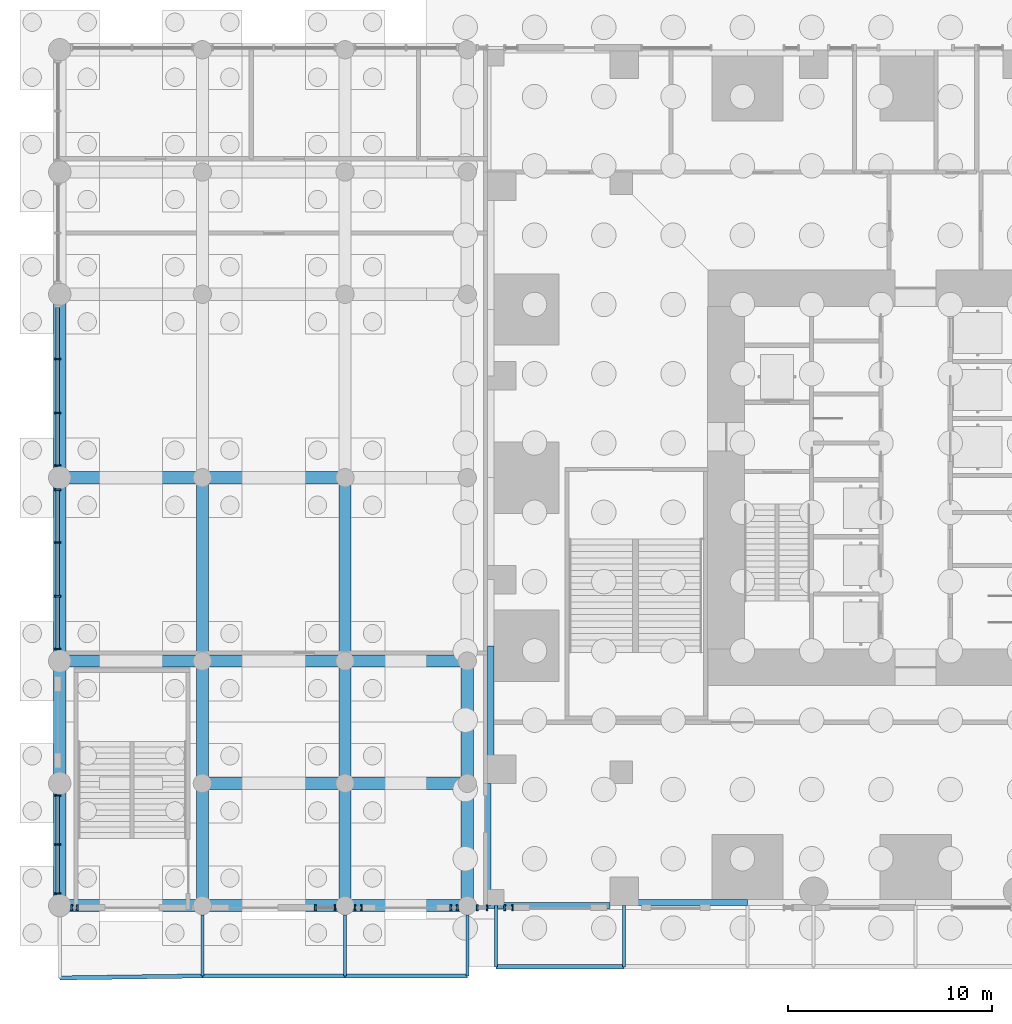
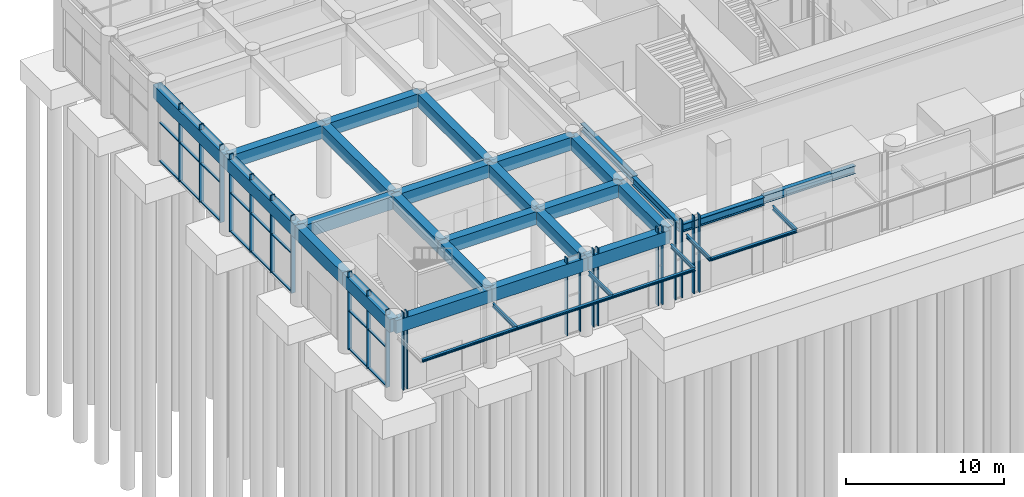
# One storey, part 4 of 46: 38 members, 35 beams, 9 elements without a shape of their own.
"""IFC4 building model written with IfcOpenShell, lengths in metres."""

from ifc_helpers import new_model, si_unit, direction, frame, origin, origin_2d, place, context, subcontext, project, spatial, rectangle, i_section, extrude, material, material_profile, profile_set, type_object, element, aggregate, save


model = new_model("IFC4")

# Units and contexts
model_context = context("Model", 3, precision=1e-05, world=origin(), true_north=direction((0.0, 1.0)))
body_context = subcontext(model_context, "Body", "Model", "MODEL_VIEW")
ifc_project = project(units=[si_unit("LENGTHUNIT", "METRE"), si_unit("AREAUNIT", "SQUARE_METRE"), si_unit("VOLUMEUNIT", "CUBIC_METRE"), si_unit("PLANEANGLEUNIT", "RADIAN"), si_unit("MASSUNIT", "GRAM", prefix="KILO")], contexts=[model_context])

# Site, building, storey
site_placement = place(None, origin())
site = spatial("IfcSite", under=ifc_project, at=site_placement, CompositionType="ELEMENT")
building_placement = place(site_placement, origin())
building = spatial("IfcBuilding", under=site, at=building_placement, Name="Svetlomir Tower", CompositionType="ELEMENT")
storey_placement = place(building_placement, origin())
storey = spatial("IfcBuildingStorey", under=building, at=storey_placement, Name="L00", CompositionType="ELEMENT", Elevation=0.0)

# Beams
ifc_material_1 = material(Name="Steel S355", Category="steel")
ifc_material_profile_1 = material_profile(ifc_material_1, i_section(OverallWidth=0.14990234375, OverallDepth=0.300048828125, WebThickness=0.007080078125, FlangeThickness=0.0107421875, FilletRadius=0.014892578125, at=origin_2d()), Name="IPE 300")
ifc_profile_set_1 = profile_set([ifc_material_profile_1], Name="Steel S355")
beam_type_1 = type_object("IfcBeamType", Name="CANOPY CANTILEVER IPE 300", PredefinedType="BEAM", material=ifc_profile_set_1)
for number, where, z_axis, x_axis, name in (
    (1, (-14.0, -0.449951171875, 4.5), (0.0, -1.0, 0.0), (1.0, 0.0, 0.0), "Canopy cantilever -14"),
    (2, (-7.0, -0.449951171875, 4.5), (0.0, -1.0, 0.0), (1.0, 0.0, 0.0), "Canopy cantilever -7"),
    (3, (-1.0, -0.449951171875, 4.5), (0.0, -1.0, 0.0), (1.0, 0.0, 0.0), "Canopy cantilever -1"),
    (4, (0.39990234375, 0.0, 4.5), (0.0, -1.0, 0.0), (1.0, 0.0, 0.0), "Canopy cantilever 0"),
    (5, (6.699951171875, 0.0, 4.5), (0.0, -1.0, 0.0), (1.0, 0.0, 0.0), "Canopy cantilever 6"),
):
    element("IfcBeam", number, at=place(storey_placement, frame(where, z_axis=z_axis, x_axis=x_axis)), inside=storey, type_object=beam_type_1, Name=name, PredefinedType="BEAM", context=body_context, shape_type="SweptSolid", body=[
        extrude(i_section(OverallWidth=0.14990234375, OverallDepth=0.300048828125, WebThickness=0.007080078125, FlangeThickness=0.0107421875, FilletRadius=0.014892578125, at=origin_2d()), origin(), (0.0, 0.0, 1.0), 3.0),
    ])
ifc_material_2 = material(Name="Steel S355", Category="steel")
ifc_material_profile_2 = material_profile(ifc_material_2, i_section(OverallWidth=0.199951171875, OverallDepth=0.18994140625, WebThickness=0.006591796875, FlangeThickness=0.010009765625, FilletRadius=0.01806640625, at=origin_2d()), Name="HEA 200")
ifc_profile_set_2 = profile_set([ifc_material_profile_2], Name="Steel S355")
beam_type_2 = type_object("IfcBeamType", Name="CANOPY EDGE BEAM HEA 200", PredefinedType="BEAM", material=ifc_profile_set_2)
beam_1_placement = place(storey_placement, frame((-21.0, -3.550048828125, 4.5), z_axis=(0.999897775465, 0.014298203402, 0.0), x_axis=(-0.014298203402, 0.999897775465, 0.0)))
element("IfcBeam", 6, at=beam_1_placement, inside=storey, type_object=beam_type_2, Name="Canopy edge beam -21 to -14", PredefinedType="BEAM", context=body_context, shape_type="SweptSolid", body=[
    extrude(i_section(OverallWidth=0.199951171875, OverallDepth=0.18994140625, WebThickness=0.006591796875, FlangeThickness=0.010009765625, FilletRadius=0.01806640625, at=origin_2d()), origin(), (0.0, 0.0, 1.0), 7.000732421875),
])
beam_2_placement = place(storey_placement, frame((-14.0, -3.449951171875, 4.5), z_axis=(1.0, 0.0, 0.0), x_axis=(0.0, 1.0, 0.0)))
element("IfcBeam", 7, at=beam_2_placement, inside=storey, type_object=beam_type_2, Name="Canopy edge beam -14 to -7", PredefinedType="BEAM", context=body_context, shape_type="SweptSolid", body=[
    extrude(i_section(OverallWidth=0.199951171875, OverallDepth=0.18994140625, WebThickness=0.006591796875, FlangeThickness=0.010009765625, FilletRadius=0.01806640625, at=origin_2d()), origin(), (0.0, 0.0, 1.0), 7.0),
])
beam_3_placement = place(storey_placement, frame((-7.0, -3.449951171875, 4.5), z_axis=(1.0, 0.0, 0.0), x_axis=(0.0, 1.0, 0.0)))
element("IfcBeam", 8, at=beam_3_placement, inside=storey, type_object=beam_type_2, Name="Canopy edge beam -7 to -1", PredefinedType="BEAM", context=body_context, shape_type="SweptSolid", body=[
    extrude(i_section(OverallWidth=0.199951171875, OverallDepth=0.18994140625, WebThickness=0.006591796875, FlangeThickness=0.010009765625, FilletRadius=0.01806640625, at=origin_2d()), origin(), (0.0, 0.0, 1.0), 6.0),
])
beam_4_placement = place(storey_placement, frame((0.39990234375, -3.0, 4.5), z_axis=(1.0, 0.0, 0.0), x_axis=(0.0, 1.0, 0.0)))
element("IfcBeam", 9, at=beam_4_placement, inside=storey, type_object=beam_type_2, Name="Canopy edge beam 0.4 to 6.7", PredefinedType="BEAM", context=body_context, shape_type="SweptSolid", body=[
    extrude(i_section(OverallWidth=0.199951171875, OverallDepth=0.18994140625, WebThickness=0.006591796875, FlangeThickness=0.010009765625, FilletRadius=0.01806640625, at=origin_2d()), origin(), (0.0, 0.0, 1.0), 6.300048828125),
])

# Curtain wall, members
ifc_material_3 = material(Name="Bronze anodised aluminium curtain wall", Category="aluminium")
curtain_wall_type = type_object("IfcCurtainWallType", Name="CURTAIN WALL CW5 PODIUM", PredefinedType="NOTDEFINED", material=ifc_material_3)
curtain_wall_1_placement = place(storey_placement, origin())
curtain_wall_1 = element("IfcCurtainWall", 10, at=curtain_wall_1_placement, inside=storey, type_object=curtain_wall_type, Name="Curtain wall CW5 L00", PredefinedType="NOTDEFINED")
ifc_material_4 = material(Name="Bronze anodised aluminium", Category="aluminium")
ifc_material_profile_3 = material_profile(ifc_material_4, rectangle(XDim=0.080078125, YDim=0.300048828125, at=origin_2d()), Name="AL 80x300")
ifc_profile_set_3 = profile_set([ifc_material_profile_3], Name="Bronze anodised aluminium 6063-T6")
member_type_1 = type_object("IfcMemberType", Name="CW5 MULLION 80x300", PredefinedType="MULLION", material=ifc_profile_set_3)
member_1_placement = place(storey_placement, frame((-20.409912109375, -0.10009765625, 0.0), z_axis=(0.0, 0.0, 1.0), x_axis=(1.0, 0.0, 0.0)))
member_1 = element("IfcMember", 11, at=member_1_placement, type_object=member_type_1, Name="CW5 mullion 1", PredefinedType="MULLION", context=body_context, shape_type="SweptSolid", body=[
    extrude(rectangle(XDim=0.080078125, YDim=0.300048828125, at=origin_2d()), origin(), (0.0, 0.0, 1.0), 6.0),
])
member_2_placement = place(storey_placement, frame((-20.139892578125, -0.10009765625, 0.0), z_axis=(0.0, 0.0, 1.0), x_axis=(1.0, 0.0, 0.0)))
member_2 = element("IfcMember", 12, at=member_2_placement, type_object=member_type_1, Name="CW5 mullion 2", PredefinedType="MULLION", context=body_context, shape_type="SweptSolid", body=[
    extrude(rectangle(XDim=0.080078125, YDim=0.300048828125, at=origin_2d()), origin(), (0.0, 0.0, 1.0), 6.0),
])
aggregate(curtain_wall_1, [member_1, member_2])

curtain_wall_2_placement = place(storey_placement, origin())
curtain_wall_2 = element("IfcCurtainWall", 13, at=curtain_wall_2_placement, inside=storey, type_object=curtain_wall_type, Name="Curtain wall CW5 L00", PredefinedType="NOTDEFINED")
member_3_placement = place(storey_placement, frame((-8.4599609375, -0.10009765625, 0.0), z_axis=(0.0, 0.0, 1.0), x_axis=(1.0, 0.0, 0.0)))
member_3 = element("IfcMember", 14, at=member_3_placement, type_object=member_type_1, Name="CW5 mullion 1", PredefinedType="MULLION", context=body_context, shape_type="SweptSolid", body=[
    extrude(rectangle(XDim=0.080078125, YDim=0.300048828125, at=origin_2d()), origin(), (0.0, 0.0, 1.0), 6.0),
])
member_4_placement = place(storey_placement, frame((-7.489990234375, -0.10009765625, 0.0), z_axis=(0.0, 0.0, 1.0), x_axis=(1.0, 0.0, 0.0)))
member_4 = element("IfcMember", 15, at=member_4_placement, type_object=member_type_1, Name="CW5 mullion 2", PredefinedType="MULLION", context=body_context, shape_type="SweptSolid", body=[
    extrude(rectangle(XDim=0.080078125, YDim=0.300048828125, at=origin_2d()), origin(), (0.0, 0.0, 1.0), 6.0),
])
aggregate(curtain_wall_2, [member_3, member_4])

curtain_wall_3_placement = place(storey_placement, origin())
curtain_wall_3 = element("IfcCurtainWall", 16, at=curtain_wall_3_placement, inside=storey, type_object=curtain_wall_type, Name="Curtain wall CW5 L00", PredefinedType="NOTDEFINED")
member_5_placement = place(storey_placement, frame((-6.510009765625, -0.10009765625, 0.0), z_axis=(0.0, 0.0, 1.0), x_axis=(1.0, 0.0, 0.0)))
member_5 = element("IfcMember", 17, at=member_5_placement, type_object=member_type_1, Name="CW5 mullion 1", PredefinedType="MULLION", context=body_context, shape_type="SweptSolid", body=[
    extrude(rectangle(XDim=0.080078125, YDim=0.300048828125, at=origin_2d()), origin(), (0.0, 0.0, 1.0), 6.0),
])
member_6_placement = place(storey_placement, frame((-6.18994140625, -0.10009765625, 0.0), z_axis=(0.0, 0.0, 1.0), x_axis=(1.0, 0.0, 0.0)))
member_6 = element("IfcMember", 18, at=member_6_placement, type_object=member_type_1, Name="CW5 mullion 2", PredefinedType="MULLION", context=body_context, shape_type="SweptSolid", body=[
    extrude(rectangle(XDim=0.080078125, YDim=0.300048828125, at=origin_2d()), origin(), (0.0, 0.0, 1.0), 6.0),
])
aggregate(curtain_wall_3, [member_5, member_6])

curtain_wall_4_placement = place(storey_placement, origin())
curtain_wall_4 = element("IfcCurtainWall", 19, at=curtain_wall_4_placement, inside=storey, type_object=curtain_wall_type, Name="Curtain wall CW5 L00", PredefinedType="NOTDEFINED")
member_7_placement = place(storey_placement, frame((-1.81005859375, -0.10009765625, 0.0), z_axis=(0.0, 0.0, 1.0), x_axis=(1.0, 0.0, 0.0)))
member_7 = element("IfcMember", 20, at=member_7_placement, type_object=member_type_1, Name="CW5 mullion 1", PredefinedType="MULLION", context=body_context, shape_type="SweptSolid", body=[
    extrude(rectangle(XDim=0.080078125, YDim=0.300048828125, at=origin_2d()), origin(), (0.0, 0.0, 1.0), 6.0),
])
member_8_placement = place(storey_placement, frame((-1.489990234375, -0.10009765625, 0.0), z_axis=(0.0, 0.0, 1.0), x_axis=(1.0, 0.0, 0.0)))
member_8 = element("IfcMember", 21, at=member_8_placement, type_object=member_type_1, Name="CW5 mullion 2", PredefinedType="MULLION", context=body_context, shape_type="SweptSolid", body=[
    extrude(rectangle(XDim=0.080078125, YDim=0.300048828125, at=origin_2d()), origin(), (0.0, 0.0, 1.0), 6.0),
])
aggregate(curtain_wall_4, [member_7, member_8])

curtain_wall_5_placement = place(storey_placement, origin())
curtain_wall_5 = element("IfcCurtainWall", 22, at=curtain_wall_5_placement, inside=storey, type_object=curtain_wall_type, Name="Curtain wall CW5 L00", PredefinedType="NOTDEFINED")
member_9_placement = place(storey_placement, frame((-0.510009765625, -0.10009765625, 0.0), z_axis=(0.0, 0.0, 1.0), x_axis=(1.0, 0.0, 0.0)))
member_9 = element("IfcMember", 23, at=member_9_placement, type_object=member_type_1, Name="CW5 mullion 1", PredefinedType="MULLION", context=body_context, shape_type="SweptSolid", body=[
    extrude(rectangle(XDim=0.080078125, YDim=0.300048828125, at=origin_2d()), origin(), (0.0, 0.0, 1.0), 6.0),
])
member_10_placement = place(storey_placement, frame((-0.0400390625, -0.10009765625, 0.0), z_axis=(0.0, 0.0, 1.0), x_axis=(1.0, 0.0, 0.0)))
member_10 = element("IfcMember", 24, at=member_10_placement, type_object=member_type_1, Name="CW5 mullion 2", PredefinedType="MULLION", context=body_context, shape_type="SweptSolid", body=[
    extrude(rectangle(XDim=0.080078125, YDim=0.300048828125, at=origin_2d()), origin(), (0.0, 0.0, 1.0), 6.0),
])
aggregate(curtain_wall_5, [member_9, member_10])

curtain_wall_6_placement = place(storey_placement, origin())
curtain_wall_6 = element("IfcCurtainWall", 25, at=curtain_wall_6_placement, inside=storey, type_object=curtain_wall_type, Name="Curtain wall CW5 L00", PredefinedType="NOTDEFINED")
member_11_placement = place(storey_placement, frame((0.840087890625, -0.10009765625, 0.0), z_axis=(0.0, 0.0, 1.0), x_axis=(1.0, 0.0, 0.0)))
member_11 = element("IfcMember", 26, at=member_11_placement, type_object=member_type_1, Name="CW5 mullion 1", PredefinedType="MULLION", context=body_context, shape_type="SweptSolid", body=[
    extrude(rectangle(XDim=0.080078125, YDim=0.300048828125, at=origin_2d()), origin(), (0.0, 0.0, 1.0), 6.0),
])
member_12_placement = place(storey_placement, frame((1.2099609375, -0.10009765625, 0.0), z_axis=(0.0, 0.0, 1.0), x_axis=(1.0, 0.0, 0.0)))
member_12 = element("IfcMember", 27, at=member_12_placement, type_object=member_type_1, Name="CW5 mullion 2", PredefinedType="MULLION", context=body_context, shape_type="SweptSolid", body=[
    extrude(rectangle(XDim=0.080078125, YDim=0.300048828125, at=origin_2d()), origin(), (0.0, 0.0, 1.0), 6.0),
])
aggregate(curtain_wall_6, [member_11, member_12])

curtain_wall_7_placement = place(storey_placement, origin())
curtain_wall_7 = element("IfcCurtainWall", 28, at=curtain_wall_7_placement, inside=storey, type_object=curtain_wall_type, Name="Curtain wall CW5 L00", PredefinedType="NOTDEFINED")
member_13_placement = place(storey_placement, frame((-21.10009765625, 26.816650390625, 0.0), z_axis=(0.0, 0.0, 1.0), x_axis=(0.0, -1.0, 0.0)))
member_13 = element("IfcMember", 29, at=member_13_placement, type_object=member_type_1, Name="CW5 mullion 2", PredefinedType="MULLION", context=body_context, shape_type="SweptSolid", body=[
    extrude(rectangle(XDim=0.080078125, YDim=0.300048828125, at=origin_2d()), origin(), (0.0, 0.0, 1.0), 6.0),
])
member_14_placement = place(storey_placement, frame((-21.10009765625, 24.183349609375, 0.0), z_axis=(0.0, 0.0, 1.0), x_axis=(0.0, -1.0, 0.0)))
member_14 = element("IfcMember", 30, at=member_14_placement, type_object=member_type_1, Name="CW5 mullion 3", PredefinedType="MULLION", context=body_context, shape_type="SweptSolid", body=[
    extrude(rectangle(XDim=0.080078125, YDim=0.300048828125, at=origin_2d()), origin(), (0.0, 0.0, 1.0), 6.0),
])
member_15_placement = place(storey_placement, frame((-21.10009765625, 21.590087890625, 0.0), z_axis=(0.0, 0.0, 1.0), x_axis=(0.0, -1.0, 0.0)))
member_15 = element("IfcMember", 31, at=member_15_placement, type_object=member_type_1, Name="CW5 mullion 4", PredefinedType="MULLION", context=body_context, shape_type="SweptSolid", body=[
    extrude(rectangle(XDim=0.080078125, YDim=0.300048828125, at=origin_2d()), origin(), (0.0, 0.0, 1.0), 6.0),
])

curtain_wall_8_placement = place(storey_placement, origin())
curtain_wall_8 = element("IfcCurtainWall", 32, at=curtain_wall_8_placement, inside=storey, type_object=curtain_wall_type, Name="Curtain wall CW5 L00", PredefinedType="NOTDEFINED")
member_16_placement = place(storey_placement, frame((-21.10009765625, 20.409912109375, 0.0), z_axis=(0.0, 0.0, 1.0), x_axis=(0.0, -1.0, 0.0)))
member_16 = element("IfcMember", 33, at=member_16_placement, type_object=member_type_1, Name="CW5 mullion 1", PredefinedType="MULLION", context=body_context, shape_type="SweptSolid", body=[
    extrude(rectangle(XDim=0.080078125, YDim=0.300048828125, at=origin_2d()), origin(), (0.0, 0.0, 1.0), 6.0),
])
member_17_placement = place(storey_placement, frame((-21.10009765625, 17.816650390625, 0.0), z_axis=(0.0, 0.0, 1.0), x_axis=(0.0, -1.0, 0.0)))
member_17 = element("IfcMember", 34, at=member_17_placement, type_object=member_type_1, Name="CW5 mullion 2", PredefinedType="MULLION", context=body_context, shape_type="SweptSolid", body=[
    extrude(rectangle(XDim=0.080078125, YDim=0.300048828125, at=origin_2d()), origin(), (0.0, 0.0, 1.0), 6.0),
])
member_18_placement = place(storey_placement, frame((-21.10009765625, 15.183349609375, 0.0), z_axis=(0.0, 0.0, 1.0), x_axis=(0.0, -1.0, 0.0)))
member_18 = element("IfcMember", 35, at=member_18_placement, type_object=member_type_1, Name="CW5 mullion 3", PredefinedType="MULLION", context=body_context, shape_type="SweptSolid", body=[
    extrude(rectangle(XDim=0.080078125, YDim=0.300048828125, at=origin_2d()), origin(), (0.0, 0.0, 1.0), 6.0),
])
member_19_placement = place(storey_placement, frame((-21.10009765625, 12.590087890625, 0.0), z_axis=(0.0, 0.0, 1.0), x_axis=(0.0, -1.0, 0.0)))
member_19 = element("IfcMember", 36, at=member_19_placement, type_object=member_type_1, Name="CW5 mullion 4", PredefinedType="MULLION", context=body_context, shape_type="SweptSolid", body=[
    extrude(rectangle(XDim=0.080078125, YDim=0.300048828125, at=origin_2d()), origin(), (0.0, 0.0, 1.0), 6.0),
])

curtain_wall_9_placement = place(storey_placement, origin())
curtain_wall_9 = element("IfcCurtainWall", 37, at=curtain_wall_9_placement, inside=storey, type_object=curtain_wall_type, Name="Curtain wall CW5 L00", PredefinedType="NOTDEFINED")
member_20_placement = place(storey_placement, frame((-21.10009765625, 5.409912109375, 0.0), z_axis=(0.0, 0.0, 1.0), x_axis=(0.0, -1.0, 0.0)))
member_20 = element("IfcMember", 38, at=member_20_placement, type_object=member_type_1, Name="CW5 mullion 1", PredefinedType="MULLION", context=body_context, shape_type="SweptSolid", body=[
    extrude(rectangle(XDim=0.080078125, YDim=0.300048828125, at=origin_2d()), origin(), (0.0, 0.0, 1.0), 6.0),
])
member_21_placement = place(storey_placement, frame((-21.10009765625, 3.0, 0.0), z_axis=(0.0, 0.0, 1.0), x_axis=(0.0, -1.0, 0.0)))
member_21 = element("IfcMember", 39, at=member_21_placement, type_object=member_type_1, Name="CW5 mullion 2", PredefinedType="MULLION", context=body_context, shape_type="SweptSolid", body=[
    extrude(rectangle(XDim=0.080078125, YDim=0.300048828125, at=origin_2d()), origin(), (0.0, 0.0, 1.0), 6.0),
])
member_22_placement = place(storey_placement, frame((-21.10009765625, 0.590087890625, 0.0), z_axis=(0.0, 0.0, 1.0), x_axis=(0.0, -1.0, 0.0)))
member_22 = element("IfcMember", 40, at=member_22_placement, type_object=member_type_1, Name="CW5 mullion 3", PredefinedType="MULLION", context=body_context, shape_type="SweptSolid", body=[
    extrude(rectangle(XDim=0.080078125, YDim=0.300048828125, at=origin_2d()), origin(), (0.0, 0.0, 1.0), 6.0),
])

# Member
ifc_material_5 = material(Name="Bronze anodised aluminium", Category="aluminium")
ifc_material_profile_4 = material_profile(ifc_material_5, rectangle(XDim=0.179931640625, YDim=0.080078125, at=origin_2d()), Name="AL 180x80")
ifc_profile_set_4 = profile_set([ifc_material_profile_4], Name="Bronze anodised aluminium 6063-T6")
member_type_2 = type_object("IfcMemberType", Name="CW5 TRANSOM 80x180", PredefinedType="USERDEFINED", material=ifc_profile_set_4)
member_23_placement = place(storey_placement, frame((-21.10009765625, 29.3701171875, 0.0400390625), z_axis=(0.0, -1.0, 0.0), x_axis=(1.0, 0.0, 0.0)))
member_23 = element("IfcMember", 41, at=member_23_placement, type_object=member_type_2, Name="CW5 transom 1.1", ObjectType="TRANSOM", PredefinedType="USERDEFINED", context=body_context, shape_type="SweptSolid", body=[
    extrude(rectangle(XDim=0.179931640625, YDim=0.080078125, at=origin_2d()), origin(), (0.0, 0.0, 1.0), 2.513427734375),
])

member_24_placement = place(storey_placement, frame((-21.10009765625, 29.3701171875, 3.0), z_axis=(0.0, -1.0, 0.0), x_axis=(1.0, 0.0, 0.0)))
member_24 = element("IfcMember", 42, at=member_24_placement, type_object=member_type_2, Name="CW5 transom 1.2", ObjectType="TRANSOM", PredefinedType="USERDEFINED", context=body_context, shape_type="SweptSolid", body=[
    extrude(rectangle(XDim=0.179931640625, YDim=0.080078125, at=origin_2d()), origin(), (0.0, 0.0, 1.0), 2.513427734375),
])

member_25_placement = place(storey_placement, frame((-21.10009765625, 26.776611328125, 0.0400390625), z_axis=(0.0, -1.0, 0.0), x_axis=(1.0, 0.0, 0.0)))
member_25 = element("IfcMember", 43, at=member_25_placement, type_object=member_type_2, Name="CW5 transom 2.1", ObjectType="TRANSOM", PredefinedType="USERDEFINED", context=body_context, shape_type="SweptSolid", body=[
    extrude(rectangle(XDim=0.179931640625, YDim=0.080078125, at=origin_2d()), origin(), (0.0, 0.0, 1.0), 2.55322265625),
])

member_26_placement = place(storey_placement, frame((-21.10009765625, 26.776611328125, 3.0), z_axis=(0.0, -1.0, 0.0), x_axis=(1.0, 0.0, 0.0)))
member_26 = element("IfcMember", 44, at=member_26_placement, type_object=member_type_2, Name="CW5 transom 2.2", ObjectType="TRANSOM", PredefinedType="USERDEFINED", context=body_context, shape_type="SweptSolid", body=[
    extrude(rectangle(XDim=0.179931640625, YDim=0.080078125, at=origin_2d()), origin(), (0.0, 0.0, 1.0), 2.55322265625),
])

member_27_placement = place(storey_placement, frame((-21.10009765625, 24.143310546875, 0.0400390625), z_axis=(0.0, -1.0, 0.0), x_axis=(1.0, 0.0, 0.0)))
member_27 = element("IfcMember", 45, at=member_27_placement, type_object=member_type_2, Name="CW5 transom 3.1", ObjectType="TRANSOM", PredefinedType="USERDEFINED", context=body_context, shape_type="SweptSolid", body=[
    extrude(rectangle(XDim=0.179931640625, YDim=0.080078125, at=origin_2d()), origin(), (0.0, 0.0, 1.0), 2.513427734375),
])

member_28_placement = place(storey_placement, frame((-21.10009765625, 24.143310546875, 3.0), z_axis=(0.0, -1.0, 0.0), x_axis=(1.0, 0.0, 0.0)))
member_28 = element("IfcMember", 46, at=member_28_placement, type_object=member_type_2, Name="CW5 transom 3.2", ObjectType="TRANSOM", PredefinedType="USERDEFINED", context=body_context, shape_type="SweptSolid", body=[
    extrude(rectangle(XDim=0.179931640625, YDim=0.080078125, at=origin_2d()), origin(), (0.0, 0.0, 1.0), 2.513427734375),
])

aggregate(curtain_wall_7, [member_13, member_14, member_15, member_23, member_24, member_25, member_26, member_27, member_28])

member_29_placement = place(storey_placement, frame((-21.10009765625, 20.3701171875, 0.0400390625), z_axis=(0.0, -1.0, 0.0), x_axis=(1.0, 0.0, 0.0)))
member_29 = element("IfcMember", 47, at=member_29_placement, type_object=member_type_2, Name="CW5 transom 1.1", ObjectType="TRANSOM", PredefinedType="USERDEFINED", context=body_context, shape_type="SweptSolid", body=[
    extrude(rectangle(XDim=0.179931640625, YDim=0.080078125, at=origin_2d()), origin(), (0.0, 0.0, 1.0), 2.513427734375),
])

member_30_placement = place(storey_placement, frame((-21.10009765625, 20.3701171875, 3.0), z_axis=(0.0, -1.0, 0.0), x_axis=(1.0, 0.0, 0.0)))
member_30 = element("IfcMember", 48, at=member_30_placement, type_object=member_type_2, Name="CW5 transom 1.2", ObjectType="TRANSOM", PredefinedType="USERDEFINED", context=body_context, shape_type="SweptSolid", body=[
    extrude(rectangle(XDim=0.179931640625, YDim=0.080078125, at=origin_2d()), origin(), (0.0, 0.0, 1.0), 2.513427734375),
])

member_31_placement = place(storey_placement, frame((-21.10009765625, 17.776611328125, 0.0400390625), z_axis=(0.0, -1.0, 0.0), x_axis=(1.0, 0.0, 0.0)))
member_31 = element("IfcMember", 49, at=member_31_placement, type_object=member_type_2, Name="CW5 transom 2.1", ObjectType="TRANSOM", PredefinedType="USERDEFINED", context=body_context, shape_type="SweptSolid", body=[
    extrude(rectangle(XDim=0.179931640625, YDim=0.080078125, at=origin_2d()), origin(), (0.0, 0.0, 1.0), 2.55322265625),
])

member_32_placement = place(storey_placement, frame((-21.10009765625, 17.776611328125, 3.0), z_axis=(0.0, -1.0, 0.0), x_axis=(1.0, 0.0, 0.0)))
member_32 = element("IfcMember", 50, at=member_32_placement, type_object=member_type_2, Name="CW5 transom 2.2", ObjectType="TRANSOM", PredefinedType="USERDEFINED", context=body_context, shape_type="SweptSolid", body=[
    extrude(rectangle(XDim=0.179931640625, YDim=0.080078125, at=origin_2d()), origin(), (0.0, 0.0, 1.0), 2.55322265625),
])

member_33_placement = place(storey_placement, frame((-21.10009765625, 15.143310546875, 0.0400390625), z_axis=(0.0, -1.0, 0.0), x_axis=(1.0, 0.0, 0.0)))
member_33 = element("IfcMember", 51, at=member_33_placement, type_object=member_type_2, Name="CW5 transom 3.1", ObjectType="TRANSOM", PredefinedType="USERDEFINED", context=body_context, shape_type="SweptSolid", body=[
    extrude(rectangle(XDim=0.179931640625, YDim=0.080078125, at=origin_2d()), origin(), (0.0, 0.0, 1.0), 2.513427734375),
])

member_34_placement = place(storey_placement, frame((-21.10009765625, 15.143310546875, 3.0), z_axis=(0.0, -1.0, 0.0), x_axis=(1.0, 0.0, 0.0)))
member_34 = element("IfcMember", 52, at=member_34_placement, type_object=member_type_2, Name="CW5 transom 3.2", ObjectType="TRANSOM", PredefinedType="USERDEFINED", context=body_context, shape_type="SweptSolid", body=[
    extrude(rectangle(XDim=0.179931640625, YDim=0.080078125, at=origin_2d()), origin(), (0.0, 0.0, 1.0), 2.513427734375),
])

aggregate(curtain_wall_8, [member_16, member_17, member_18, member_19, member_29, member_30, member_31, member_32, member_33, member_34])

member_35_placement = place(storey_placement, frame((-21.10009765625, 5.3701171875, 0.0400390625), z_axis=(0.0, -1.0, 0.0), x_axis=(1.0, 0.0, 0.0)))
member_35 = element("IfcMember", 53, at=member_35_placement, type_object=member_type_2, Name="CW5 transom 1.1", ObjectType="TRANSOM", PredefinedType="USERDEFINED", context=body_context, shape_type="SweptSolid", body=[
    extrude(rectangle(XDim=0.179931640625, YDim=0.080078125, at=origin_2d()), origin(), (0.0, 0.0, 1.0), 2.330078125),
])

member_36_placement = place(storey_placement, frame((-21.10009765625, 5.3701171875, 3.0), z_axis=(0.0, -1.0, 0.0), x_axis=(1.0, 0.0, 0.0)))
member_36 = element("IfcMember", 54, at=member_36_placement, type_object=member_type_2, Name="CW5 transom 1.2", ObjectType="TRANSOM", PredefinedType="USERDEFINED", context=body_context, shape_type="SweptSolid", body=[
    extrude(rectangle(XDim=0.179931640625, YDim=0.080078125, at=origin_2d()), origin(), (0.0, 0.0, 1.0), 2.330078125),
])

member_37_placement = place(storey_placement, frame((-21.10009765625, 2.9599609375, 0.0400390625), z_axis=(0.0, -1.0, 0.0), x_axis=(1.0, 0.0, 0.0)))
member_37 = element("IfcMember", 55, at=member_37_placement, type_object=member_type_2, Name="CW5 transom 2.1", ObjectType="TRANSOM", PredefinedType="USERDEFINED", context=body_context, shape_type="SweptSolid", body=[
    extrude(rectangle(XDim=0.179931640625, YDim=0.080078125, at=origin_2d()), origin(), (0.0, 0.0, 1.0), 2.330078125),
])

member_38_placement = place(storey_placement, frame((-21.10009765625, 2.9599609375, 3.0), z_axis=(0.0, -1.0, 0.0), x_axis=(1.0, 0.0, 0.0)))
member_38 = element("IfcMember", 56, at=member_38_placement, type_object=member_type_2, Name="CW5 transom 2.2", ObjectType="TRANSOM", PredefinedType="USERDEFINED", context=body_context, shape_type="SweptSolid", body=[
    extrude(rectangle(XDim=0.179931640625, YDim=0.080078125, at=origin_2d()), origin(), (0.0, 0.0, 1.0), 2.330078125),
])

aggregate(curtain_wall_9, [member_20, member_21, member_22, member_35, member_36, member_37, member_38])

# Beams
ifc_material_6 = material(Name="Concrete C60/75", Category="concrete")
ifc_material_profile_5 = material_profile(ifc_material_6, rectangle(XDim=0.60009765625, YDim=1.0, at=origin_2d()), Name="RC 600x1000")
ifc_profile_set_5 = profile_set([ifc_material_profile_5], Name="Concrete C60/75")
beam_type_3 = type_object("IfcBeamType", Name="PODIUM BEAM RC 600x1000", PredefinedType="BEAM", material=ifc_profile_set_5)
beam_5_placement = place(storey_placement, frame((-21.0, 0.0, 5.10009765625), z_axis=(0.0, 1.0, 0.0), x_axis=(-1.0, 0.0, 0.0)))
element("IfcBeam", 57, at=beam_5_placement, inside=storey, type_object=beam_type_3, Name="Podium beam -21/0 to -21/6 under L01", PredefinedType="BEAM", context=body_context, shape_type="SweptSolid", body=[
    extrude(rectangle(XDim=0.60009765625, YDim=1.0, at=origin_2d()), origin(), (0.0, 0.0, 1.0), 6.0),
])
beam_6_placement = place(storey_placement, frame((-21.0, 0.0, 5.10009765625), z_axis=(1.0, 0.0, 0.0), x_axis=(0.0, 1.0, 0.0)))
element("IfcBeam", 58, at=beam_6_placement, inside=storey, type_object=beam_type_3, Name="Podium beam -21/0 to -14/0 under L01", PredefinedType="BEAM", context=body_context, shape_type="SweptSolid", body=[
    extrude(rectangle(XDim=0.60009765625, YDim=1.0, at=origin_2d()), origin(), (0.0, 0.0, 1.0), 7.0),
])
beam_7_placement = place(storey_placement, frame((-21.0, 6.0, 5.10009765625), z_axis=(0.0, 1.0, 0.0), x_axis=(-1.0, 0.0, 0.0)))
element("IfcBeam", 59, at=beam_7_placement, inside=storey, type_object=beam_type_3, Name="Podium beam -21/6 to -21/12 under L01", PredefinedType="BEAM", context=body_context, shape_type="SweptSolid", body=[
    extrude(rectangle(XDim=0.60009765625, YDim=1.0, at=origin_2d()), origin(), (0.0, 0.0, 1.0), 6.0),
])
beam_8_placement = place(storey_placement, frame((-21.0, 12.0, 5.10009765625), z_axis=(0.0, 1.0, 0.0), x_axis=(-1.0, 0.0, 0.0)))
element("IfcBeam", 60, at=beam_8_placement, inside=storey, type_object=beam_type_3, Name="Podium beam -21/12 to -21/21 under L01", PredefinedType="BEAM", context=body_context, shape_type="SweptSolid", body=[
    extrude(rectangle(XDim=0.60009765625, YDim=1.0, at=origin_2d()), origin(), (0.0, 0.0, 1.0), 9.0),
])
beam_9_placement = place(storey_placement, frame((-21.0, 12.0, 5.10009765625), z_axis=(1.0, 0.0, 0.0), x_axis=(0.0, 1.0, 0.0)))
element("IfcBeam", 61, at=beam_9_placement, inside=storey, type_object=beam_type_3, Name="Podium beam -21/12 to -14/12 under L01", PredefinedType="BEAM", context=body_context, shape_type="SweptSolid", body=[
    extrude(rectangle(XDim=0.60009765625, YDim=1.0, at=origin_2d()), origin(), (0.0, 0.0, 1.0), 7.0),
])
beam_10_placement = place(storey_placement, frame((-21.0, 21.0, 5.10009765625), z_axis=(0.0, 1.0, 0.0), x_axis=(-1.0, 0.0, 0.0)))
element("IfcBeam", 62, at=beam_10_placement, inside=storey, type_object=beam_type_3, Name="Podium beam -21/21 to -21/30 under L01", PredefinedType="BEAM", context=body_context, shape_type="SweptSolid", body=[
    extrude(rectangle(XDim=0.60009765625, YDim=1.0, at=origin_2d()), origin(), (0.0, 0.0, 1.0), 9.0),
])
beam_11_placement = place(storey_placement, frame((-21.0, 21.0, 5.10009765625), z_axis=(1.0, 0.0, 0.0), x_axis=(0.0, 1.0, 0.0)))
element("IfcBeam", 63, at=beam_11_placement, inside=storey, type_object=beam_type_3, Name="Podium beam -21/21 to -14/21 under L01", PredefinedType="BEAM", context=body_context, shape_type="SweptSolid", body=[
    extrude(rectangle(XDim=0.60009765625, YDim=1.0, at=origin_2d()), origin(), (0.0, 0.0, 1.0), 7.0),
])
beam_12_placement = place(storey_placement, frame((-14.0, 0.0, 5.10009765625), z_axis=(0.0, 1.0, 0.0), x_axis=(-1.0, 0.0, 0.0)))
element("IfcBeam", 64, at=beam_12_placement, inside=storey, type_object=beam_type_3, Name="Podium beam -14/0 to -14/6 under L01", PredefinedType="BEAM", context=body_context, shape_type="SweptSolid", body=[
    extrude(rectangle(XDim=0.60009765625, YDim=1.0, at=origin_2d()), origin(), (0.0, 0.0, 1.0), 6.0),
])
beam_13_placement = place(storey_placement, frame((-14.0, 0.0, 5.10009765625), z_axis=(1.0, 0.0, 0.0), x_axis=(0.0, 1.0, 0.0)))
element("IfcBeam", 65, at=beam_13_placement, inside=storey, type_object=beam_type_3, Name="Podium beam -14/0 to -7/0 under L01", PredefinedType="BEAM", context=body_context, shape_type="SweptSolid", body=[
    extrude(rectangle(XDim=0.60009765625, YDim=1.0, at=origin_2d()), origin(), (0.0, 0.0, 1.0), 7.0),
])
beam_14_placement = place(storey_placement, frame((-14.0, 6.0, 5.10009765625), z_axis=(0.0, 1.0, 0.0), x_axis=(-1.0, 0.0, 0.0)))
element("IfcBeam", 66, at=beam_14_placement, inside=storey, type_object=beam_type_3, Name="Podium beam -14/6 to -14/12 under L01", PredefinedType="BEAM", context=body_context, shape_type="SweptSolid", body=[
    extrude(rectangle(XDim=0.60009765625, YDim=1.0, at=origin_2d()), origin(), (0.0, 0.0, 1.0), 6.0),
])
beam_15_placement = place(storey_placement, frame((-14.0, 6.0, 5.10009765625), z_axis=(1.0, 0.0, 0.0), x_axis=(0.0, 1.0, 0.0)))
element("IfcBeam", 67, at=beam_15_placement, inside=storey, type_object=beam_type_3, Name="Podium beam -14/6 to -7/6 under L01", PredefinedType="BEAM", context=body_context, shape_type="SweptSolid", body=[
    extrude(rectangle(XDim=0.60009765625, YDim=1.0, at=origin_2d()), origin(), (0.0, 0.0, 1.0), 7.0),
])
beam_16_placement = place(storey_placement, frame((-14.0, 12.0, 5.10009765625), z_axis=(0.0, 1.0, 0.0), x_axis=(-1.0, 0.0, 0.0)))
element("IfcBeam", 68, at=beam_16_placement, inside=storey, type_object=beam_type_3, Name="Podium beam -14/12 to -14/21 under L01", PredefinedType="BEAM", context=body_context, shape_type="SweptSolid", body=[
    extrude(rectangle(XDim=0.60009765625, YDim=1.0, at=origin_2d()), origin(), (0.0, 0.0, 1.0), 9.0),
])
for number, where, z_axis, x_axis, name in (
    (69, (-14.0, 12.0, 5.10009765625), (1.0, 0.0, 0.0), (0.0, 1.0, 0.0), "Podium beam -14/12 to -7/12 under L01"),
    (70, (-14.0, 21.0, 5.10009765625), (1.0, 0.0, 0.0), (0.0, 1.0, 0.0), "Podium beam -14/21 to -7/21 under L01"),
):
    element("IfcBeam", number, at=place(storey_placement, frame(where, z_axis=z_axis, x_axis=x_axis)), inside=storey, type_object=beam_type_3, Name=name, PredefinedType="BEAM", context=body_context, shape_type="SweptSolid", body=[
        extrude(rectangle(XDim=0.60009765625, YDim=1.0, at=origin_2d()), origin(), (0.0, 0.0, 1.0), 7.0),
    ])
for number, where, z_axis, x_axis, name in (
    (71, (-7.0, 0.0, 5.10009765625), (0.0, 1.0, 0.0), (-1.0, 0.0, 0.0), "Podium beam -7/0 to -7/6 under L01"),
    (72, (-7.0, 0.0, 5.10009765625), (1.0, 0.0, 0.0), (0.0, 1.0, 0.0), "Podium beam -7/0 to -1/0 under L01"),
    (73, (-7.0, 6.0, 5.10009765625), (0.0, 1.0, 0.0), (-1.0, 0.0, 0.0), "Podium beam -7/6 to -7/12 under L01"),
    (74, (-7.0, 6.0, 5.10009765625), (1.0, 0.0, 0.0), (0.0, 1.0, 0.0), "Podium beam -7/6 to -1/6 under L01"),
):
    element("IfcBeam", number, at=place(storey_placement, frame(where, z_axis=z_axis, x_axis=x_axis)), inside=storey, type_object=beam_type_3, Name=name, PredefinedType="BEAM", context=body_context, shape_type="SweptSolid", body=[
        extrude(rectangle(XDim=0.60009765625, YDim=1.0, at=origin_2d()), origin(), (0.0, 0.0, 1.0), 6.0),
    ])
beam_17_placement = place(storey_placement, frame((-7.0, 12.0, 5.10009765625), z_axis=(0.0, 1.0, 0.0), x_axis=(-1.0, 0.0, 0.0)))
element("IfcBeam", 75, at=beam_17_placement, inside=storey, type_object=beam_type_3, Name="Podium beam -7/12 to -7/21 under L01", PredefinedType="BEAM", context=body_context, shape_type="SweptSolid", body=[
    extrude(rectangle(XDim=0.60009765625, YDim=1.0, at=origin_2d()), origin(), (0.0, 0.0, 1.0), 9.0),
])
for number, where, z_axis, x_axis, name in (
    (76, (-7.0, 12.0, 5.10009765625), (1.0, 0.0, 0.0), (0.0, 1.0, 0.0), "Podium beam -7/12 to -1/12 under L01"),
    (77, (-1.0, 0.0, 5.10009765625), (0.0, 1.0, 0.0), (-1.0, 0.0, 0.0), "Podium beam -1/0 to -1/6 under L01"),
    (78, (-1.0, 6.0, 5.10009765625), (0.0, 1.0, 0.0), (-1.0, 0.0, 0.0), "Podium beam -1/6 to -1/12 under L01"),
):
    element("IfcBeam", number, at=place(storey_placement, frame(where, z_axis=z_axis, x_axis=x_axis)), inside=storey, type_object=beam_type_3, Name=name, PredefinedType="BEAM", context=body_context, shape_type="SweptSolid", body=[
        extrude(rectangle(XDim=0.60009765625, YDim=1.0, at=origin_2d()), origin(), (0.0, 0.0, 1.0), 6.0),
    ])
ifc_material_7 = material(Name="Steel S355", Category="steel")
ifc_material_profile_6 = material_profile(ifc_material_7, i_section(OverallWidth=0.304931640625, OverallDepth=0.6201171875, WebThickness=0.02099609375, FlangeThickness=0.0400390625, FilletRadius=0.027099609375, at=origin_2d()), Name="HEM 600")
ifc_profile_set_6 = profile_set([ifc_material_profile_6], Name="Steel S355")
beam_type_4 = type_object("IfcBeamType", Name="PODIUM EDGE BEAM HEM 600", PredefinedType="BEAM", material=ifc_profile_set_6)
for number, where, z_axis, x_axis, name in (
    (79, (0.0, 0.0, 5.2900390625), (0.0, 1.0, 0.0), (-1.0, 0.0, 0.0), "Podium beam 0/0 to 0/6 under L01"),
    (80, (0.0, 0.0, 5.2900390625), (1.0, 0.0, 0.0), (0.0, 1.0, 0.0), "Podium beam 0/0 to 6/0 under L01"),
):
    element("IfcBeam", number, at=place(storey_placement, frame(where, z_axis=z_axis, x_axis=x_axis)), inside=storey, type_object=beam_type_4, Name=name, PredefinedType="BEAM", context=body_context, shape_type="SweptSolid", body=[
        extrude(i_section(OverallWidth=0.304931640625, OverallDepth=0.6201171875, WebThickness=0.02099609375, FlangeThickness=0.0400390625, FilletRadius=0.027099609375, at=origin_2d()), origin(), (0.0, 0.0, 1.0), 6.0),
    ])
for number, where, z_axis, x_axis, name in (
    (81, (0.152587890625, 6.0, 5.2900390625), (0.0, 1.0, 0.0), (-1.0, 0.0, 0.0), "Podium beam 0/6 to 0/11 under L01"),
    (82, (6.0, 0.152587890625, 5.2900390625), (1.0, 0.0, 0.0), (0.0, 1.0, 0.0), "Podium beam 6/0 to 11/0 under L01"),
):
    element("IfcBeam", number, at=place(storey_placement, frame(where, z_axis=z_axis, x_axis=x_axis)), inside=storey, type_object=beam_type_4, Name=name, PredefinedType="BEAM", context=body_context, shape_type="SweptSolid", body=[
        extrude(i_section(OverallWidth=0.304931640625, OverallDepth=0.6201171875, WebThickness=0.02099609375, FlangeThickness=0.0400390625, FilletRadius=0.027099609375, at=origin_2d()), origin(), (0.0, 0.0, 1.0), 6.75),
    ])

save(model, "model.ifc")
